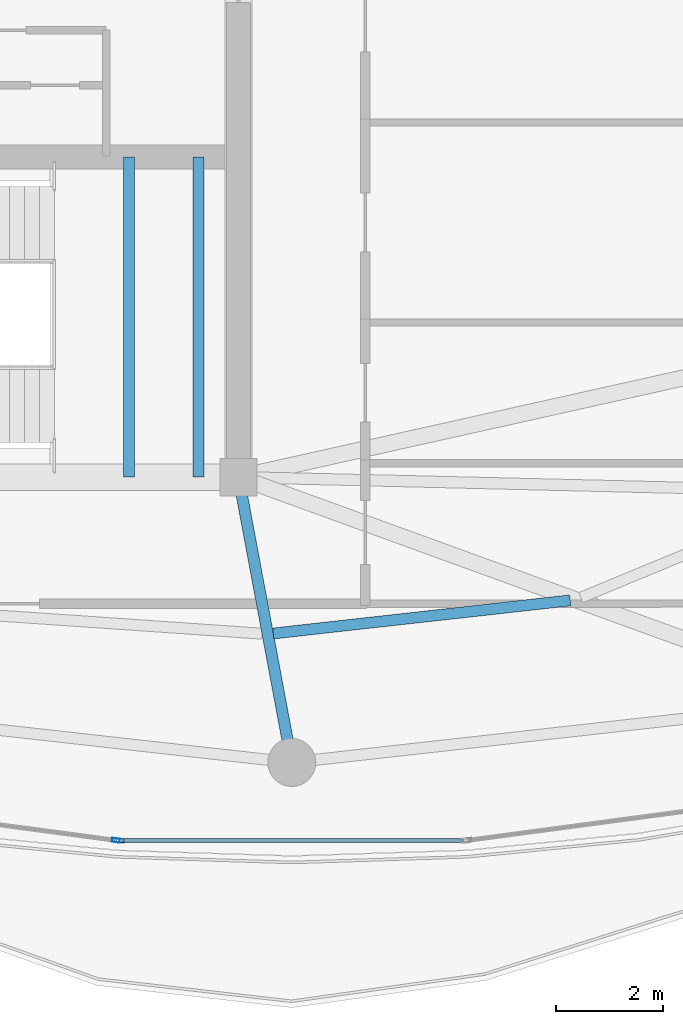
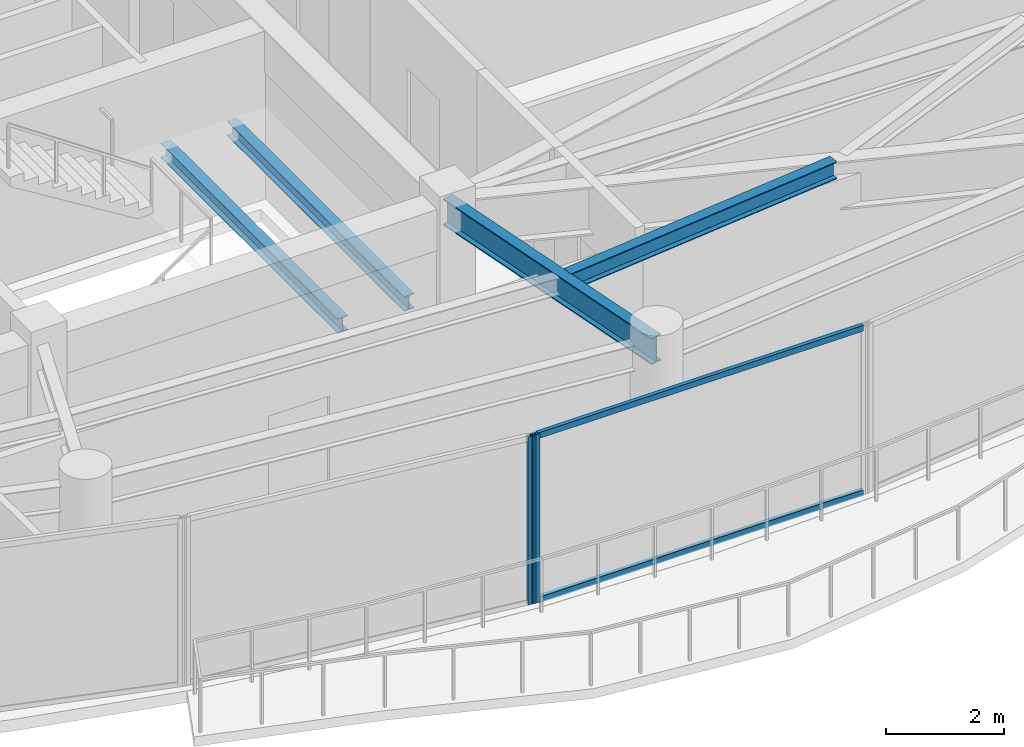
# One storey, part 7 of 29: 4 beams, 4 members, 2 elements without a shape of their own.
"""IFC4 building model written with IfcOpenShell, lengths in metres."""

from ifc_helpers import new_model, si_unit, direction, frame, origin, origin_2d, place, context, subcontext, project, spatial, hollow_rectangle, i_section, extrude, material, layer, layer_set, material_profile, profile_set, type_object, element, aggregate, save


model = new_model("IFC4")

# Units and contexts
model_context = context("Model", 3, precision=1e-05, world=origin(), true_north=direction((0.0, 1.0)))
body_context = subcontext(model_context, "Body", "Model", "MODEL_VIEW")
ifc_project = project(units=[si_unit("LENGTHUNIT", "METRE"), si_unit("AREAUNIT", "SQUARE_METRE"), si_unit("VOLUMEUNIT", "CUBIC_METRE"), si_unit("PLANEANGLEUNIT", "RADIAN"), si_unit("MASSUNIT", "GRAM", prefix="KILO")], contexts=[model_context])

# Site, building, storey
site_placement = place(None, origin())
site = spatial("IfcSite", under=ifc_project, at=site_placement, CompositionType="ELEMENT")
building_placement = place(site_placement, origin())
building = spatial("IfcBuilding", under=site, at=building_placement, Name="Kazevale Care Tower and Concert Hall", CompositionType="ELEMENT")
storey_placement = place(building_placement, frame((0.0, 0.0, 289.0)))
storey = spatial("IfcBuildingStorey", under=building, at=storey_placement, Name="L76", CompositionType="ELEMENT", Elevation=289.0)

# Curtain wall, member
ifc_material_1 = material(Name="Aluminium 6063-T6 and Low-E Glass", Category="aluminium")
ifc_layer = layer(ifc_material_1, 0.179931640625)
ifc_layer_set = layer_set([ifc_layer], Name="Aluminium 6063-T6 and Low-E Glass")
curtain_wall_type = type_object("IfcCurtainWallType", Name="Sheltered Concave Balcony Curtain Wall CW-5", PredefinedType="NOTDEFINED", material=ifc_layer_set)
curtain_wall_1_placement = place(storey_placement, origin())
curtain_wall_1 = element("IfcCurtainWall", 1, at=curtain_wall_1_placement, inside=storey, type_object=curtain_wall_type, Name="cw:L76:f06", PredefinedType="NOTDEFINED")
ifc_material_2 = material(Name="Aluminium 6063-T6", Category="aluminium")
ifc_material_profile_1 = material_profile(ifc_material_2, hollow_rectangle(XDim=0.074951171875, YDim=0.14990234375, WallThickness=0.00390625, at=origin_2d()), Name="ALU75x150x4")
ifc_profile_set_1 = profile_set([ifc_material_profile_1], Name="Aluminium 6063-T6")
member_type_1 = type_object("IfcMemberType", Name="CW-5 Mullion ALU75x150x4", PredefinedType="MULLION", material=ifc_profile_set_1)
member_1_placement = place(storey_placement, frame((41.779541015625, 16.784912109375, 0.0), z_axis=(0.0, 0.0, 1.0), x_axis=(0.0, -1.0, 0.0)))
member_1 = element("IfcMember", 2, at=member_1_placement, type_object=member_type_1, Name="CW-5 mullion 2", PredefinedType="MULLION", context=body_context, shape_type="SweptSolid", body=[
    extrude(hollow_rectangle(XDim=0.074951171875, YDim=0.14990234375, WallThickness=0.00390625, at=origin_2d()), origin(), (0.0, 0.0, 1.0), 3.47998046875),
])

curtain_wall_2_placement = place(storey_placement, origin())
curtain_wall_2 = element("IfcCurtainWall", 3, at=curtain_wall_2_placement, inside=storey, type_object=curtain_wall_type, Name="cw:L76:f07", PredefinedType="NOTDEFINED")
member_2_placement = place(storey_placement, frame((41.704833984375, 16.7900390625, 0.0), z_axis=(0.0, 0.0, 1.0), x_axis=(-0.132542069018, -0.991177380664, 0.0)))
member_2 = element("IfcMember", 4, at=member_2_placement, type_object=member_type_1, Name="CW-5 mullion 1", PredefinedType="MULLION", context=body_context, shape_type="SweptSolid", body=[
    extrude(hollow_rectangle(XDim=0.074951171875, YDim=0.14990234375, WallThickness=0.00390625, at=origin_2d()), origin(), (0.0, 0.0, 1.0), 3.47998046875),
])
aggregate(curtain_wall_2, [member_2])

# Member
ifc_material_profile_2 = material_profile(ifc_material_2, hollow_rectangle(XDim=0.074951171875, YDim=0.1201171875, WallThickness=0.00390625, at=origin_2d()), Name="ALU75x120x4")
ifc_profile_set_2 = profile_set([ifc_material_profile_2], Name="Aluminium 6063-T6")
member_type_2 = type_object("IfcMemberType", Name="CW-5 Transom ALU75x120x4", PredefinedType="USERDEFINED", material=ifc_profile_set_2)
member_3_placement = place(storey_placement, frame((48.18310546875, 16.784912109375, 0.03759765625), z_axis=(-1.0, 0.0, 0.0), x_axis=(0.0, -1.0, 0.0)))
member_3 = element("IfcMember", 5, at=member_3_placement, type_object=member_type_2, Name="CW-5 transom 1.1", ObjectType="TRANSOM", PredefinedType="USERDEFINED", context=body_context, shape_type="SweptSolid", body=[
    extrude(hollow_rectangle(XDim=0.074951171875, YDim=0.1201171875, WallThickness=0.00390625, at=origin_2d()), origin(), (0.0, 0.0, 1.0), 6.3662109375),
])

member_4_placement = place(storey_placement, frame((48.18310546875, 16.784912109375, 3.4423828125), z_axis=(-1.0, 0.0, 0.0), x_axis=(0.0, -1.0, 0.0)))
member_4 = element("IfcMember", 6, at=member_4_placement, type_object=member_type_2, Name="CW-5 transom 1.2", ObjectType="TRANSOM", PredefinedType="USERDEFINED", context=body_context, shape_type="SweptSolid", body=[
    extrude(hollow_rectangle(XDim=0.074951171875, YDim=0.1201171875, WallThickness=0.00390625, at=origin_2d()), origin(), (0.0, 0.0, 1.0), 6.3662109375),
])

aggregate(curtain_wall_1, [member_1, member_3, member_4])

# Beams
ifc_material_3 = material(Name="Steel ASTM A572 Gr 50", Category="steel")
ifc_material_profile_3 = material_profile(ifc_material_3, i_section(OverallWidth=0.2119140625, OverallDepth=0.5439453125, WebThickness=0.01318359375, FlangeThickness=0.021240234375, at=origin_2d()), Name="W530x123")
ifc_profile_set_3 = profile_set([ifc_material_profile_3], Name="Steel ASTM A572 Gr 50")
beam_type_1 = type_object("IfcBeamType", Name="Radial Floor Girder W530x123", PredefinedType="BEAM", material=ifc_profile_set_3)
beam_1_placement = place(storey_placement, frame((44.0, 23.60009765625, 3.2080078125), z_axis=(0.183730597003, -0.982976636408, 0.0), x_axis=(0.982976636408, 0.183730597003, 0.0)))
element("IfcBeam", 7, at=beam_1_placement, inside=storey, type_object=beam_type_1, Name="beam:L76:rad:13", PredefinedType="BEAM", context=body_context, shape_type="SweptSolid", body=[
    extrude(i_section(OverallWidth=0.2119140625, OverallDepth=0.5439453125, WebThickness=0.01318359375, FlangeThickness=0.021240234375, at=origin_2d()), origin(), (0.0, 0.0, 1.0), 5.44287109375),
])
ifc_material_profile_4 = material_profile(ifc_material_3, i_section(OverallWidth=0.205078125, OverallDepth=0.35400390625, WebThickness=0.009521484375, FlangeThickness=0.016845703125, at=origin_2d()), Name="W360x79")
ifc_profile_set_4 = profile_set([ifc_material_profile_4], Name="Steel ASTM A572 Gr 50")
beam_type_2 = type_object("IfcBeamType", Name="Secondary Floor Joist W360x79", PredefinedType="JOIST", material=ifc_profile_set_4)
beam_2_placement = place(storey_placement, frame((44.654052734375, 20.6689453125, 3.302978515625), z_axis=(0.99385286667, 0.110708985236, 0.0), x_axis=(-0.110708985236, 0.99385286667, 0.0)))
element("IfcBeam", 8, at=beam_2_placement, inside=storey, type_object=beam_type_2, Name="beam:L76:joist:13", PredefinedType="JOIST", context=body_context, shape_type="SweptSolid", body=[
    extrude(i_section(OverallWidth=0.205078125, OverallDepth=0.35400390625, WebThickness=0.009521484375, FlangeThickness=0.016845703125, at=origin_2d()), origin(), (0.0, 0.0, 1.0), 5.601318359375),
])
ifc_material_profile_5 = material_profile(ifc_material_3, i_section(OverallWidth=0.202880859375, OverallDepth=0.302978515625, WebThickness=0.007568359375, FlangeThickness=0.01318359375, at=origin_2d()), Name="W310x60")
ifc_profile_set_5 = profile_set([ifc_material_profile_5], Name="Steel ASTM A572 Gr 50")
beam_type_3 = type_object("IfcBeamType", Name="Stair & Balcony Trimmer W310x60", PredefinedType="BEAM", material=ifc_profile_set_5)
for number, where, z_axis, x_axis, name in (
    (9, (41.949951171875, 23.60009765625, 1.548583984375), (0.0, 1.0, 0.0), (-1.0, 0.0, 0.0), "beam:L76:sttrim:ST2"),
    (10, (43.25, 23.60009765625, 1.548583984375), (0.0, 1.0, 0.0), (-1.0, 0.0, 0.0), "beam:L76:sttrim:ST2b"),
):
    element("IfcBeam", number, at=place(storey_placement, frame(where, z_axis=z_axis, x_axis=x_axis)), inside=storey, type_object=beam_type_3, Name=name, PredefinedType="BEAM", context=body_context, shape_type="SweptSolid", body=[
        extrude(i_section(OverallWidth=0.202880859375, OverallDepth=0.302978515625, WebThickness=0.007568359375, FlangeThickness=0.01318359375, at=origin_2d()), origin(), (0.0, 0.0, 1.0), 6.0),
    ])

save(model, "model.ifc")
